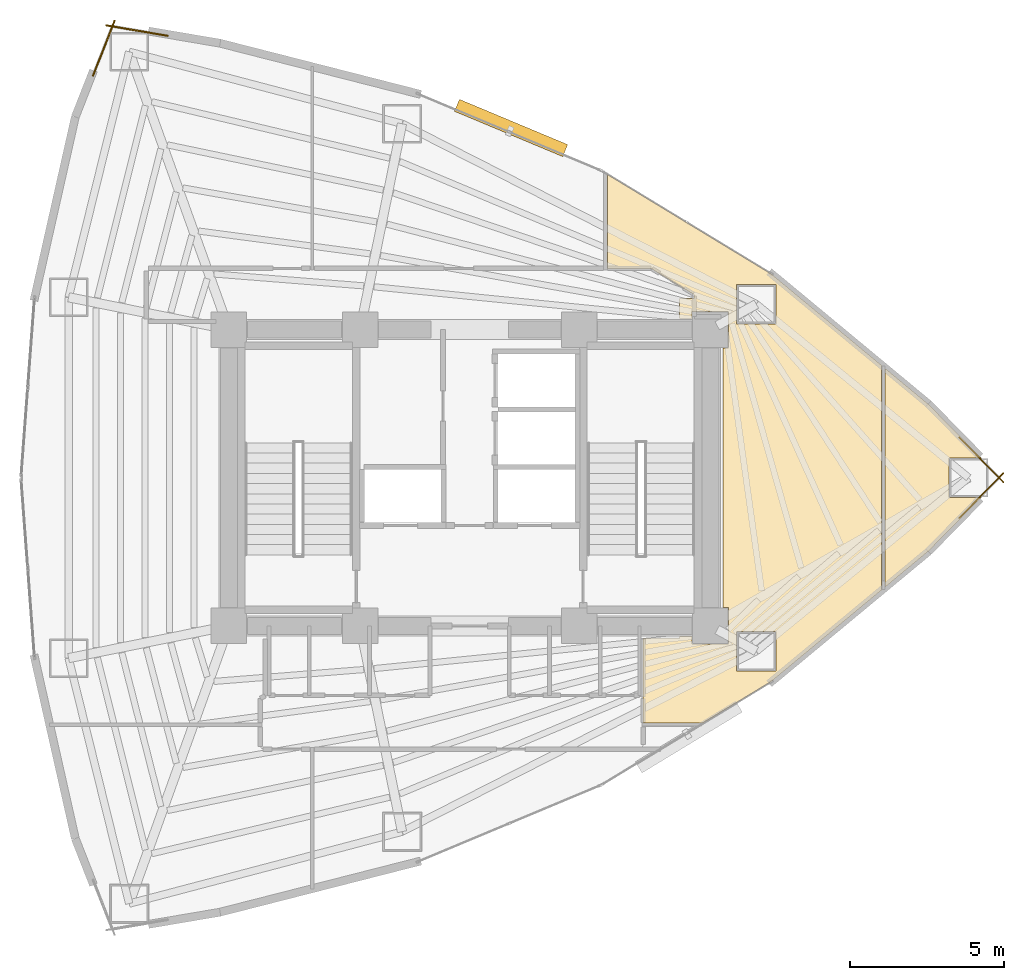
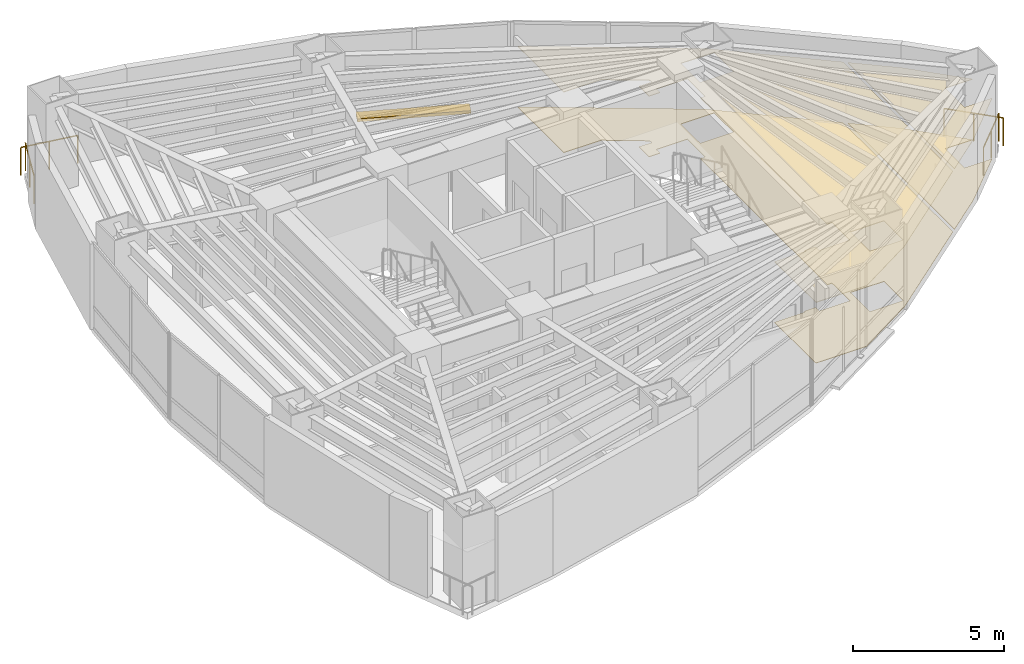
# One storey, part 18 of 18: 4 coverings, 4 railings, 1 shading device.
"""IFC4 building model written with IfcOpenShell, lengths in metres."""

import ifcopenshell
import ifcopenshell.guid

model = None  # the IFC model being written
_history = None  # IfcOwnerHistory: only IFC2X3 demands one
_inside = {}  # id of a spatial element -> (the spatial element, [elements in it])
_under = {}  # id of a project, library or spatial element -> (it, [spatial elements below it])
_declared = {}  # id of a project -> (the project, [libraries it declares])
_typed = {}  # id of a type object -> (the type object, [elements of that type])
_made_of = {}  # id of a material, layer set ... -> (it, [elements and type objects made of it])


def new_model(schema):
    """Start an empty IFC model of exactly this schema.

    Asked for "IFC4X3", IfcOpenShell would pick the latest addendum, in which some entities
    have other attributes; the version numbers below select the first issue.
    IFC2X3 requires an IfcOwnerHistory on every rooted entity: one is made here for all.
    """
    global model, _history
    if schema == "IFC4X3":
        model = ifcopenshell.file(schema_version=(4, 3, 0, 0))
    else:
        model = ifcopenshell.file(schema=schema)
    _inside.clear()
    _under.clear()
    _declared.clear()
    _typed.clear()
    _made_of.clear()
    _history = None
    if model.schema == "IFC2X3":
        org = make("IfcOrganization", Name="unknown")
        user = make(
            "IfcPersonAndOrganization",
            ThePerson=make("IfcPerson", FamilyName="unknown"),
            TheOrganization=org,
        )
        app = make(
            "IfcApplication",
            ApplicationDeveloper=org,
            Version="unknown",
            ApplicationFullName="unknown",
            ApplicationIdentifier="unknown",
        )
        _history = make(
            "IfcOwnerHistory",
            OwningUser=user,
            OwningApplication=app,
            ChangeAction="ADDED",
            CreationDate=0,
        )
    return model


def make(cls, **values):
    """One entity of the class cls with the attributes given. An attribute that is None is left unset."""
    return model.create_entity(
        cls, **{name: value for name, value in values.items() if value is not None}
    )


def rooted(cls, **values):
    """An entity with a GlobalId (a new one), such as an element, a storey or a relation."""
    return make(cls, GlobalId=ifcopenshell.guid.new(), OwnerHistory=_history, **values)


def si_unit(unit_type, name, prefix=None):
    """IfcSIUnit, for example si_unit("LENGTHUNIT", "METRE", prefix="MILLI")."""
    return make("IfcSIUnit", UnitType=unit_type, Prefix=prefix, Name=name)


def assignment(units):
    """IfcUnitAssignment: the units of a project."""
    return None if units is None else make("IfcUnitAssignment", Units=units)


def point(xyz):
    """IfcCartesianPoint."""
    return None if xyz is None else make("IfcCartesianPoint", Coordinates=xyz)


def direction(xyz):
    """IfcDirection."""
    return None if xyz is None else make("IfcDirection", DirectionRatios=xyz)


def frame(location, z_axis=None, x_axis=None):
    """IfcAxis2Placement3D, a coordinate frame: its origin and axes. An axis left out is left unset."""
    return make(
        "IfcAxis2Placement3D",
        Location=point(location),
        Axis=direction(z_axis),
        RefDirection=direction(x_axis),
    )


def frame_2d(location, x_axis=None):
    """IfcAxis2Placement2D, a coordinate frame in the plane: its origin and x axis."""
    return make(
        "IfcAxis2Placement2D", Location=point(location), RefDirection=direction(x_axis)
    )


def origin():
    """The frame at (0, 0, 0) with its axes left unset."""
    return frame((0.0, 0.0, 0.0))


def origin_2d():
    """The frame at (0, 0) in the plane with its x axis left unset."""
    return frame_2d((0.0, 0.0))


def place(relative_to, where):
    """IfcLocalPlacement: puts the frame where relative to a parent placement (None: the world)."""
    return make(
        "IfcLocalPlacement", PlacementRelTo=relative_to, RelativePlacement=where
    )


def context(
    kind, dimensions, precision=None, world=None, true_north=None, identifier=None
):
    """IfcGeometricRepresentationContext, for example the 3D "Model" context."""
    return make(
        "IfcGeometricRepresentationContext",
        ContextIdentifier=identifier,
        ContextType=kind,
        CoordinateSpaceDimension=dimensions,
        Precision=precision,
        WorldCoordinateSystem=world,
        TrueNorth=true_north,
    )


def subcontext(parent, identifier, kind, view, scale=None):
    """IfcGeometricRepresentationSubContext, for example "Body" below "Model"."""
    return make(
        "IfcGeometricRepresentationSubContext",
        ContextIdentifier=identifier,
        ContextType=kind,
        ParentContext=parent,
        TargetScale=scale,
        TargetView=view,
    )


def project(units=None, contexts=None):
    """IfcProject with its units and contexts."""
    return rooted(
        "IfcProject",
        Name="project",
        RepresentationContexts=contexts,
        UnitsInContext=assignment(units),
    )


def spatial(cls, under=None, at=None, **own):
    """A site, building, storey or space (cls), placed at a placement, below another one or the project."""
    s = rooted(cls, ObjectPlacement=at, **own)
    if under is not None:
        _under.setdefault(under.id(), (under, []))[1].append(s)
    return s


def polyline(points):
    """IfcPolyline through the points."""
    return make("IfcPolyline", Points=[point(p) for p in points])


def profile(cls, at=None, kind="AREA", **sizes):
    """A parametric profile (cls). Its sizes go by their IFC names, for example OverallWidth=200.0."""
    return make(cls, ProfileType=kind, Position=at, **sizes)


def rectangle(**sizes):
    """IfcRectangleProfileDef."""
    return profile("IfcRectangleProfileDef", **sizes)


def circle(**sizes):
    """IfcCircleProfileDef."""
    return profile("IfcCircleProfileDef", **sizes)


def outline(outer, holes=None, kind="AREA"):
    """IfcArbitraryClosedProfileDef: a profile drawn as a closed curve; with holes, ...WithVoids."""
    if holes is None:
        return make("IfcArbitraryClosedProfileDef", ProfileType=kind, OuterCurve=outer)
    return make(
        "IfcArbitraryProfileDefWithVoids",
        ProfileType=kind,
        OuterCurve=outer,
        InnerCurves=holes,
    )


def extrude(swept, where, along, depth):
    """IfcExtrudedAreaSolid: the profile swept, set in the frame where, extruded along a direction by depth."""
    return make(
        "IfcExtrudedAreaSolid",
        SweptArea=swept,
        Position=where,
        ExtrudedDirection=direction(along),
        Depth=depth,
    )


def shape(context_of_items, identifier, shape_type, items):
    """IfcShapeRepresentation: the items that make up one representation, for example the "Body"."""
    return make(
        "IfcShapeRepresentation",
        ContextOfItems=context_of_items,
        RepresentationIdentifier=identifier,
        RepresentationType=shape_type,
        Items=items,
    )


def material(Name=None, Category=None):
    """IfcMaterial."""
    return make("IfcMaterial", Name=Name, Category=Category)


def layer(
    of_material, thickness, ventilated=None, Name=None, Category=None, Priority=None
):
    """IfcMaterialLayer: one layer of a wall or slab, of a material (None: an air gap)."""
    return make(
        "IfcMaterialLayer",
        Material=of_material,
        LayerThickness=thickness,
        IsVentilated=ventilated,
        Name=Name,
        Category=Category,
        Priority=Priority,
    )


def layer_set(layers, Name=None):
    """IfcMaterialLayerSet."""
    return make("IfcMaterialLayerSet", MaterialLayers=layers, LayerSetName=Name)


def made_of(thing, what):
    """Note that an element or type object is made of a material, layer set ...; save() writes the relation."""
    if what is not None:
        _made_of.setdefault(what.id(), (what, []))[1].append(thing)
    return thing


def type_object(cls, material=None, **own):
    """A type object (cls), such as IfcWallType, which elements share."""
    return made_of(rooted(cls, **own), material)


def element(
    cls,
    number,
    at=None,
    inside=None,
    cuts=None,
    type_object=None,
    material=None,
    context=None,
    identifier="Body",
    shape_type=None,
    held_by="IfcProductDefinitionShape",
    body=None,
    shapes=None,
    **own,
):
    """One element of the class cls, such as IfcWall. Its Tag is "e" and its number.

    at: its placement. inside: the storey or other place that contains it. cuts: it is an
    opening in that element (IfcRelVoidsElement). A single representation is given by context,
    identifier, shape_type and body (its items); several are given by shapes. held_by: the class
    of the entity that holds the representations. save() writes the other relations.
    """
    e = rooted(cls, Tag="e%d" % number, ObjectPlacement=at, **own)
    if body is not None:
        shapes = [shape(context, identifier, shape_type, body)]
    if shapes is not None:
        e.Representation = make(held_by, Representations=shapes)
    if inside is not None:
        _inside.setdefault(inside.id(), (inside, []))[1].append(e)
    if cuts is not None:
        rooted(
            "IfcRelVoidsElement", RelatingBuildingElement=cuts, RelatedOpeningElement=e
        )
    if type_object is not None:
        _typed.setdefault(type_object.id(), (type_object, []))[1].append(e)
    return made_of(e, material)


def aggregate(whole, parts):
    """IfcRelAggregates: a whole, such as a stair, and the parts it consists of."""
    return rooted("IfcRelAggregates", RelatingObject=whole, RelatedObjects=parts)


def save(model, path):
    """Write the relations noted so far, then the file.

    IfcRelAggregates (storeys below a building ...), IfcRelContainedInSpatialStructure (elements
    in a storey), IfcRelDefinesByType, IfcRelAssociatesMaterial and IfcRelDeclares: one each for
    every whole, place, type object, material and project.
    """
    for whole, parts in _under.values():
        aggregate(whole, parts)
    for where, things in _inside.values():
        rooted(
            "IfcRelContainedInSpatialStructure",
            RelatedElements=things,
            RelatingStructure=where,
        )
    for kind, things in _typed.values():
        rooted("IfcRelDefinesByType", RelatedObjects=things, RelatingType=kind)
    for what, things in _made_of.values():
        rooted("IfcRelAssociatesMaterial", RelatedObjects=things, RelatingMaterial=what)
    for by, libraries in _declared.values():
        rooted("IfcRelDeclares", RelatingContext=by, RelatedDefinitions=libraries)
    model.write(path)


model = new_model("IFC4")

# Units and contexts
model_context = context("Model", 3, precision=1e-05, world=origin(), true_north=direction((0.0, 1.0)))
body_context = subcontext(model_context, "Body", "Model", "MODEL_VIEW")
ifc_project = project(units=[si_unit("LENGTHUNIT", "METRE"), si_unit("AREAUNIT", "SQUARE_METRE"), si_unit("VOLUMEUNIT", "CUBIC_METRE"), si_unit("PLANEANGLEUNIT", "RADIAN"), si_unit("MASSUNIT", "GRAM", prefix="KILO")], contexts=[model_context])

# Site, building, storey
site_placement = place(None, origin())
site = spatial("IfcSite", under=ifc_project, at=site_placement, CompositionType="ELEMENT")
building_placement = place(site_placement, origin())
building = spatial("IfcBuilding", under=site, at=building_placement, Name="Menara Vayukalpa", CompositionType="ELEMENT")
storey_placement = place(building_placement, frame((0.0, 0.0, 130.02001953125)))
storey = spatial("IfcBuildingStorey", under=building, at=storey_placement, Name="L32", CompositionType="ELEMENT", Elevation=130.02001953125)

# Coverings
ifc_material_1 = material(Name="Mineral Fibre Acoustic Ceiling Tile", Category="masonry")
ifc_layer_1 = layer(ifc_material_1, 0.02490234375)
ifc_layer_set_1 = layer_set([ifc_layer_1], Name="Mineral Fibre Acoustic Ceiling Tile")
covering_type_1 = type_object("IfcCoveringType", Name="COV-CLG1", PredefinedType="CEILING", material=ifc_layer_set_1)
covering_1_placement = place(storey_placement, frame((0.0, 0.0, 2.449951171875)))
element("IfcCovering", 1, at=covering_1_placement, inside=storey, type_object=covering_type_1, Name="L32 Technical Reference Library Acoustic Ceiling", PredefinedType="CEILING", context=body_context, shape_type="SweptSolid", body=[
    extrude(outline(polyline([(42.169677734375, 22.639892578125), (41.121826171875, 22.639892578125), (41.121826171875, 21.360107421875), (42.169677734375, 21.360107421875), (40.461181640625, 19.6201171875), (40.46044921875, 19.619384765625), (39.076416015625, 18.471435546875), (39.07568359375, 18.470947265625), (39.07470703125, 18.470458984375), (39.073974609375, 18.469970703125), (39.072998046875, 18.469482421875), (39.072021484375, 18.469482421875), (39.071044921875, 18.46923828125), (39.070068359375, 18.46923828125), (39.069091796875, 18.46923828125), (39.068115234375, 18.469482421875), (39.067138671875, 18.469482421875), (39.066162109375, 18.469970703125), (39.065185546875, 18.470458984375), (39.064453125, 18.470947265625), (39.063720703125, 18.471435546875), (39.06298828125, 18.47216796875), (39.062255859375, 18.472900390625), (39.061767578125, 18.4736328125), (39.061279296875, 18.474609375), (39.060791015625, 18.475341796875), (39.060302734375, 18.476318359375), (39.060302734375, 18.477294921875), (39.06005859375, 18.478271484375), (39.06005859375, 18.479248046875), (39.06005859375, 25.520751953125), (39.06005859375, 25.521728515625), (39.060302734375, 25.522705078125), (39.060302734375, 25.523681640625), (39.060791015625, 25.524658203125), (39.061279296875, 25.525390625), (39.061767578125, 25.5263671875), (39.062255859375, 25.527099609375), (39.06298828125, 25.52783203125), (39.063720703125, 25.528564453125), (39.064453125, 25.529052734375), (39.065185546875, 25.529541015625), (39.066162109375, 25.530029296875), (39.067138671875, 25.530517578125), (39.068115234375, 25.530517578125), (39.069091796875, 25.53076171875), (39.070068359375, 25.53076171875), (39.071044921875, 25.53076171875), (39.072021484375, 25.530517578125), (39.072998046875, 25.530517578125), (39.073974609375, 25.530029296875), (39.07470703125, 25.529541015625), (39.07568359375, 25.529052734375), (39.076416015625, 25.528564453125), (40.46044921875, 24.380615234375), (40.461181640625, 24.3798828125), (42.169677734375, 22.639892578125)])), origin(), (0.0, 0.0, 1.0), 0.025146484375),
])
covering_2_placement = place(storey_placement, frame((0.0, 0.0, 2.449951171875)))
element("IfcCovering", 2, at=covering_2_placement, inside=storey, type_object=covering_type_1, Name="L32 Visitor Reception Lounge Acoustic Ceiling", PredefinedType="CEILING", context=body_context, shape_type="SweptSolid", body=[
    extrude(outline(polyline([(32.81005859375, 16.85009765625), (32.81005859375, 16.610107421875), (33.989990234375, 16.610107421875), (33.989990234375, 17.7900390625), (33.81005859375, 17.7900390625), (33.81005859375, 26.2099609375), (33.989990234375, 26.2099609375), (33.989990234375, 27.389892578125), (32.81005859375, 27.389892578125), (32.81005859375, 27.14990234375), (32.389892578125, 27.14990234375), (32.389892578125, 27.81005859375), (32.8701171875, 27.81005859375), (32.8701171875, 27.89111328125), (32.86962890625, 27.8984375), (32.868408203125, 27.905517578125), (32.86669921875, 27.912353515625), (32.8642578125, 27.919189453125), (32.861083984375, 27.925537109375), (32.857177734375, 27.931640625), (32.852783203125, 27.937255859375), (32.847900390625, 27.9423828125), (32.84228515625, 27.947021484375), (32.836181640625, 27.951171875), (31.505126953125, 28.759765625), (31.49951171875, 28.762939453125), (31.49365234375, 28.765380859375), (31.487548828125, 28.767333984375), (31.481201171875, 28.768798828125), (31.47509765625, 28.769775390625), (31.468505859375, 28.77001953125), (30.070068359375, 28.77001953125), (30.069091796875, 28.77001953125), (30.068115234375, 28.770263671875), (30.067138671875, 28.7705078125), (30.066162109375, 28.770751953125), (30.065185546875, 28.771240234375), (30.064453125, 28.771728515625), (30.063720703125, 28.772216796875), (30.06298828125, 28.77294921875), (30.062255859375, 28.773681640625), (30.061767578125, 28.7744140625), (30.061279296875, 28.775390625), (30.060791015625, 28.776123046875), (30.060302734375, 28.777099609375), (30.060302734375, 28.778076171875), (30.06005859375, 28.779052734375), (30.06005859375, 28.780029296875), (30.06005859375, 31.807861328125), (30.06005859375, 31.808837890625), (30.060302734375, 31.809814453125), (30.060302734375, 31.810546875), (30.060791015625, 31.8115234375), (30.06103515625, 31.8125), (30.0615234375, 31.813232421875), (30.062255859375, 31.81396484375), (30.062744140625, 31.814697265625), (30.0634765625, 31.8154296875), (30.064208984375, 31.81591796875), (30.065185546875, 31.81640625), (30.06591796875, 31.81689453125), (30.06689453125, 31.8173828125), (30.06787109375, 31.817626953125), (30.068603515625, 31.817626953125), (30.069580078125, 31.81787109375), (30.070556640625, 31.81787109375), (30.071533203125, 31.817626953125), (30.072509765625, 31.8173828125), (30.073486328125, 31.817138671875), (30.07421875, 31.81689453125), (30.0751953125, 31.81640625), (35.379638671875, 28.593994140625), (35.380859375, 28.59326171875), (38.938720703125, 25.642822265625), (38.939208984375, 25.64208984375), (38.93994140625, 25.641357421875), (38.940673828125, 25.640380859375), (38.941162109375, 25.6396484375), (38.94140625, 25.638671875), (38.94189453125, 25.6376953125), (38.942138671875, 25.63671875), (38.942138671875, 25.6357421875), (38.942138671875, 25.634765625), (38.942138671875, 25.6337890625), (38.94189453125, 25.6328125), (38.941162109375, 25.629638671875), (38.940185546875, 25.623779296875), (38.93994140625, 25.61767578125), (38.93994140625, 18.38232421875), (38.940185546875, 18.376220703125), (38.941162109375, 18.370361328125), (38.94189453125, 18.3671875), (38.942138671875, 18.3662109375), (38.942138671875, 18.365234375), (38.942138671875, 18.3642578125), (38.942138671875, 18.36328125), (38.94189453125, 18.3623046875), (38.94140625, 18.361328125), (38.941162109375, 18.3603515625), (38.940673828125, 18.359619140625), (38.93994140625, 18.358642578125), (38.939208984375, 18.35791015625), (38.938720703125, 18.357177734375), (35.380859375, 15.40673828125), (35.379638671875, 15.406005859375), (33.1474609375, 14.050048828125), (33.146484375, 14.049560546875), (33.1455078125, 14.049072265625), (33.144775390625, 14.048828125), (33.143798828125, 14.048583984375), (33.142822265625, 14.048583984375), (33.141845703125, 14.048583984375), (33.140869140625, 14.048583984375), (33.139892578125, 14.048828125), (33.138916015625, 14.049072265625), (33.137939453125, 14.04931640625), (33.13720703125, 14.0498046875), (33.132080078125, 14.052978515625), (33.126708984375, 14.055419921875), (33.12109375, 14.057373046875), (33.115478515625, 14.058837890625), (33.109619140625, 14.059814453125), (33.103515625, 14.06005859375), (31.22998046875, 14.06005859375), (31.22900390625, 14.06005859375), (31.22802734375, 14.060302734375), (31.22705078125, 14.060302734375), (31.226318359375, 14.060791015625), (31.225341796875, 14.061279296875), (31.224365234375, 14.061767578125), (31.2236328125, 14.062255859375), (31.222900390625, 14.06298828125), (31.222412109375, 14.063720703125), (31.2216796875, 14.064453125), (31.22119140625, 14.065185546875), (31.220703125, 14.066162109375), (31.220458984375, 14.067138671875), (31.22021484375, 14.068115234375), (31.219970703125, 14.069091796875), (31.219970703125, 14.070068359375), (31.219970703125, 14.849609375), (31.219482421875, 14.856689453125), (31.21875, 14.86376953125), (31.217041015625, 14.870361328125), (31.214599609375, 14.876708984375), (31.2119140625, 14.8828125), (31.211669921875, 14.883056640625), (31.211181640625, 14.8837890625), (31.210693359375, 14.884765625), (31.21044921875, 14.8857421875), (31.210205078125, 14.88671875), (31.2099609375, 14.8876953125), (31.2099609375, 14.888671875), (31.2099609375, 16.780029296875), (31.2099609375, 16.781005859375), (31.210205078125, 16.781982421875), (31.21044921875, 16.782958984375), (31.210693359375, 16.78369140625), (31.211181640625, 16.78466796875), (31.211669921875, 16.78564453125), (31.21240234375, 16.786376953125), (31.212890625, 16.787109375), (31.213623046875, 16.78759765625), (31.21435546875, 16.788330078125), (31.21533203125, 16.788818359375), (31.21630859375, 16.789306640625), (31.217041015625, 16.78955078125), (31.218017578125, 16.789794921875), (31.218994140625, 16.7900390625), (31.219970703125, 16.7900390625), (32.389892578125, 16.7900390625), (32.389892578125, 16.85009765625), (32.81005859375, 16.85009765625)]), holes=[polyline([(35.52685546875, 17.018310546875), (34.246826171875, 17.018310546875), (34.246826171875, 15.73828125), (35.52685546875, 15.73828125), (35.52685546875, 17.018310546875)]), polyline([(35.52685546875, 26.981689453125), (35.52685546875, 28.26171875), (34.246826171875, 28.26171875), (34.246826171875, 26.981689453125), (35.52685546875, 26.981689453125)])]), origin(), (0.0, 0.0, 1.0), 0.025146484375),
])
ifc_material_2 = material(Name="Porcelain Stoneware Floor Tile", Category="masonry")
ifc_layer_2 = layer(ifc_material_2, 0.02001953125)
ifc_layer_set_2 = layer_set([ifc_layer_2], Name="Porcelain Stoneware Floor Tile")
covering_type_2 = type_object("IfcCoveringType", Name="COV-FLR1", PredefinedType="FLOORING", material=ifc_layer_set_2)
covering_3_placement = place(storey_placement, origin())
element("IfcCovering", 3, at=covering_3_placement, inside=storey, type_object=covering_type_2, Name="L32 Technical Reference Library Porcelain Flooring", PredefinedType="FLOORING", context=body_context, shape_type="SweptSolid", body=[
    extrude(outline(polyline([(42.169677734375, 22.639892578125), (41.121826171875, 22.639892578125), (41.121826171875, 21.360107421875), (42.169677734375, 21.360107421875), (40.461181640625, 19.6201171875), (40.46044921875, 19.619384765625), (39.076416015625, 18.471435546875), (39.07568359375, 18.470947265625), (39.07470703125, 18.470458984375), (39.073974609375, 18.469970703125), (39.072998046875, 18.469482421875), (39.072021484375, 18.469482421875), (39.071044921875, 18.46923828125), (39.070068359375, 18.46923828125), (39.069091796875, 18.46923828125), (39.068115234375, 18.469482421875), (39.067138671875, 18.469482421875), (39.066162109375, 18.469970703125), (39.065185546875, 18.470458984375), (39.064453125, 18.470947265625), (39.063720703125, 18.471435546875), (39.06298828125, 18.47216796875), (39.062255859375, 18.472900390625), (39.061767578125, 18.4736328125), (39.061279296875, 18.474609375), (39.060791015625, 18.475341796875), (39.060302734375, 18.476318359375), (39.060302734375, 18.477294921875), (39.06005859375, 18.478271484375), (39.06005859375, 18.479248046875), (39.06005859375, 25.520751953125), (39.06005859375, 25.521728515625), (39.060302734375, 25.522705078125), (39.060302734375, 25.523681640625), (39.060791015625, 25.524658203125), (39.061279296875, 25.525390625), (39.061767578125, 25.5263671875), (39.062255859375, 25.527099609375), (39.06298828125, 25.52783203125), (39.063720703125, 25.528564453125), (39.064453125, 25.529052734375), (39.065185546875, 25.529541015625), (39.066162109375, 25.530029296875), (39.067138671875, 25.530517578125), (39.068115234375, 25.530517578125), (39.069091796875, 25.53076171875), (39.070068359375, 25.53076171875), (39.071044921875, 25.53076171875), (39.072021484375, 25.530517578125), (39.072998046875, 25.530517578125), (39.073974609375, 25.530029296875), (39.07470703125, 25.529541015625), (39.07568359375, 25.529052734375), (39.076416015625, 25.528564453125), (40.46044921875, 24.380615234375), (40.461181640625, 24.3798828125), (42.169677734375, 22.639892578125)])), origin(), (0.0, 0.0, 1.0), 0.02001953125),
])
covering_4_placement = place(storey_placement, origin())
element("IfcCovering", 4, at=covering_4_placement, inside=storey, type_object=covering_type_2, Name="L32 Visitor Reception Lounge Porcelain Flooring", PredefinedType="FLOORING", context=body_context, shape_type="SweptSolid", body=[
    extrude(outline(polyline([(32.81005859375, 16.85009765625), (32.81005859375, 16.610107421875), (33.989990234375, 16.610107421875), (33.989990234375, 17.7900390625), (33.81005859375, 17.7900390625), (33.81005859375, 26.2099609375), (33.989990234375, 26.2099609375), (33.989990234375, 27.389892578125), (32.81005859375, 27.389892578125), (32.81005859375, 27.14990234375), (32.389892578125, 27.14990234375), (32.389892578125, 27.81005859375), (32.8701171875, 27.81005859375), (32.8701171875, 27.89111328125), (32.86962890625, 27.8984375), (32.868408203125, 27.905517578125), (32.86669921875, 27.912353515625), (32.8642578125, 27.919189453125), (32.861083984375, 27.925537109375), (32.857177734375, 27.931640625), (32.852783203125, 27.937255859375), (32.847900390625, 27.9423828125), (32.84228515625, 27.947021484375), (32.836181640625, 27.951171875), (31.505126953125, 28.759765625), (31.49951171875, 28.762939453125), (31.49365234375, 28.765380859375), (31.487548828125, 28.767333984375), (31.481201171875, 28.768798828125), (31.47509765625, 28.769775390625), (31.468505859375, 28.77001953125), (30.070068359375, 28.77001953125), (30.069091796875, 28.77001953125), (30.068115234375, 28.770263671875), (30.067138671875, 28.7705078125), (30.066162109375, 28.770751953125), (30.065185546875, 28.771240234375), (30.064453125, 28.771728515625), (30.063720703125, 28.772216796875), (30.06298828125, 28.77294921875), (30.062255859375, 28.773681640625), (30.061767578125, 28.7744140625), (30.061279296875, 28.775390625), (30.060791015625, 28.776123046875), (30.060302734375, 28.777099609375), (30.060302734375, 28.778076171875), (30.06005859375, 28.779052734375), (30.06005859375, 28.780029296875), (30.06005859375, 31.807861328125), (30.06005859375, 31.808837890625), (30.060302734375, 31.809814453125), (30.060302734375, 31.810546875), (30.060791015625, 31.8115234375), (30.06103515625, 31.8125), (30.0615234375, 31.813232421875), (30.062255859375, 31.81396484375), (30.062744140625, 31.814697265625), (30.0634765625, 31.8154296875), (30.064208984375, 31.81591796875), (30.065185546875, 31.81640625), (30.06591796875, 31.81689453125), (30.06689453125, 31.8173828125), (30.06787109375, 31.817626953125), (30.068603515625, 31.817626953125), (30.069580078125, 31.81787109375), (30.070556640625, 31.81787109375), (30.071533203125, 31.817626953125), (30.072509765625, 31.8173828125), (30.073486328125, 31.817138671875), (30.07421875, 31.81689453125), (30.0751953125, 31.81640625), (35.379638671875, 28.593994140625), (35.380859375, 28.59326171875), (38.938720703125, 25.642822265625), (38.939208984375, 25.64208984375), (38.93994140625, 25.641357421875), (38.940673828125, 25.640380859375), (38.941162109375, 25.6396484375), (38.94140625, 25.638671875), (38.94189453125, 25.6376953125), (38.942138671875, 25.63671875), (38.942138671875, 25.6357421875), (38.942138671875, 25.634765625), (38.942138671875, 25.6337890625), (38.94189453125, 25.6328125), (38.941162109375, 25.629638671875), (38.940185546875, 25.623779296875), (38.93994140625, 25.61767578125), (38.93994140625, 18.38232421875), (38.940185546875, 18.376220703125), (38.941162109375, 18.370361328125), (38.94189453125, 18.3671875), (38.942138671875, 18.3662109375), (38.942138671875, 18.365234375), (38.942138671875, 18.3642578125), (38.942138671875, 18.36328125), (38.94189453125, 18.3623046875), (38.94140625, 18.361328125), (38.941162109375, 18.3603515625), (38.940673828125, 18.359619140625), (38.93994140625, 18.358642578125), (38.939208984375, 18.35791015625), (38.938720703125, 18.357177734375), (35.380859375, 15.40673828125), (35.379638671875, 15.406005859375), (33.1474609375, 14.050048828125), (33.146484375, 14.049560546875), (33.1455078125, 14.049072265625), (33.144775390625, 14.048828125), (33.143798828125, 14.048583984375), (33.142822265625, 14.048583984375), (33.141845703125, 14.048583984375), (33.140869140625, 14.048583984375), (33.139892578125, 14.048828125), (33.138916015625, 14.049072265625), (33.137939453125, 14.04931640625), (33.13720703125, 14.0498046875), (33.132080078125, 14.052978515625), (33.126708984375, 14.055419921875), (33.12109375, 14.057373046875), (33.115478515625, 14.058837890625), (33.109619140625, 14.059814453125), (33.103515625, 14.06005859375), (31.22998046875, 14.06005859375), (31.22900390625, 14.06005859375), (31.22802734375, 14.060302734375), (31.22705078125, 14.060302734375), (31.226318359375, 14.060791015625), (31.225341796875, 14.061279296875), (31.224365234375, 14.061767578125), (31.2236328125, 14.062255859375), (31.222900390625, 14.06298828125), (31.222412109375, 14.063720703125), (31.2216796875, 14.064453125), (31.22119140625, 14.065185546875), (31.220703125, 14.066162109375), (31.220458984375, 14.067138671875), (31.22021484375, 14.068115234375), (31.219970703125, 14.069091796875), (31.219970703125, 14.070068359375), (31.219970703125, 14.849609375), (31.219482421875, 14.856689453125), (31.21875, 14.86376953125), (31.217041015625, 14.870361328125), (31.214599609375, 14.876708984375), (31.2119140625, 14.8828125), (31.211669921875, 14.883056640625), (31.211181640625, 14.8837890625), (31.210693359375, 14.884765625), (31.21044921875, 14.8857421875), (31.210205078125, 14.88671875), (31.2099609375, 14.8876953125), (31.2099609375, 14.888671875), (31.2099609375, 16.780029296875), (31.2099609375, 16.781005859375), (31.210205078125, 16.781982421875), (31.21044921875, 16.782958984375), (31.210693359375, 16.78369140625), (31.211181640625, 16.78466796875), (31.211669921875, 16.78564453125), (31.21240234375, 16.786376953125), (31.212890625, 16.787109375), (31.213623046875, 16.78759765625), (31.21435546875, 16.788330078125), (31.21533203125, 16.788818359375), (31.21630859375, 16.789306640625), (31.217041015625, 16.78955078125), (31.218017578125, 16.789794921875), (31.218994140625, 16.7900390625), (31.219970703125, 16.7900390625), (32.389892578125, 16.7900390625), (32.389892578125, 16.85009765625), (32.81005859375, 16.85009765625)]), holes=[polyline([(35.52685546875, 17.018310546875), (34.246826171875, 17.018310546875), (34.246826171875, 15.73828125), (35.52685546875, 15.73828125), (35.52685546875, 17.018310546875)]), polyline([(35.52685546875, 26.981689453125), (35.52685546875, 28.26171875), (34.246826171875, 28.26171875), (34.246826171875, 26.981689453125), (35.52685546875, 26.981689453125)])]), origin(), (0.0, 0.0, 1.0), 0.02001953125),
])

# Railings
ifc_material_3 = material(Name="Laminated Glass and Stainless Steel 316 Guardrail", Category="steel")
railing_type = type_object("IfcRailingType", Name="RLG-EXT115", PredefinedType="GUARDRAIL", material=ifc_material_3)
railing_1_placement = place(storey_placement, frame((41.458740234375, 20.693115234375, 0.0)))
element("IfcRailing", 5, at=railing_1_placement, inside=storey, type_object=railing_type, Name="L32 Column Corner Spandrel Guardrail 01-1", PredefinedType="GUARDRAIL", context=body_context, shape_type="SweptSolid", body=[
    extrude(circle(Radius=0.02392578125, at=origin_2d()), frame((0.0, 0.0, 1.1259765625), z_axis=(0.700555740742, 0.713597683652, 0.0), x_axis=(-0.713597683652, 0.700555740742, 0.0)), (0.0, 0.0, 1.0), 2.04052734375),
    extrude(circle(Radius=0.02099609375, at=origin_2d()), origin(), (0.0, 0.0, 1.0), 1.101806640625),
    extrude(circle(Radius=0.02099609375, at=origin_2d()), frame((0.71484375, 0.72802734375, 0.0)), (0.0, 0.0, 1.0), 1.101806640625),
    extrude(circle(Radius=0.02099609375, at=origin_2d()), frame((1.429443359375, 1.4560546875, 0.0)), (0.0, 0.0, 1.0), 1.101806640625),
])
railing_2_placement = place(storey_placement, frame((42.88818359375, 21.850830078125, 0.0)))
element("IfcRailing", 6, at=railing_2_placement, inside=storey, type_object=railing_type, Name="L32 Column Corner Spandrel Guardrail 02-1", PredefinedType="GUARDRAIL", context=body_context, shape_type="SweptSolid", body=[
    extrude(circle(Radius=0.02392578125, at=origin_2d()), frame((0.0, 0.0, 1.1259765625), z_axis=(-0.700555740742, 0.713597683652, 0.0), x_axis=(-0.713597683652, -0.700555740742, 0.0)), (0.0, 0.0, 1.0), 2.04052734375),
    extrude(circle(Radius=0.02099609375, at=origin_2d()), origin(), (0.0, 0.0, 1.0), 1.101806640625),
    extrude(circle(Radius=0.02099609375, at=origin_2d()), frame((-0.71484375, 0.72802734375, 0.0)), (0.0, 0.0, 1.0), 1.101806640625),
    extrude(circle(Radius=0.02099609375, at=origin_2d()), frame((-1.429443359375, 1.4560546875, 0.0)), (0.0, 0.0, 1.0), 1.101806640625),
])
railing_3_placement = place(storey_placement, frame((15.818359375, 36.315673828125, 0.0)))
element("IfcRailing", 7, at=railing_3_placement, inside=storey, type_object=railing_type, Name="L32 Column Corner Spandrel Guardrail 07-1", PredefinedType="GUARDRAIL", context=body_context, shape_type="SweptSolid", body=[
    extrude(circle(Radius=0.02392578125, at=origin_2d()), frame((0.0, 0.0, 1.1259765625), z_axis=(-0.985895977605, 0.16735925831, 0.0), x_axis=(-0.16735925831, -0.985895977605, 0.0)), (0.0, 0.0, 1.0), 2.01904296875),
    extrude(circle(Radius=0.02099609375, at=origin_2d()), origin(), (0.0, 0.0, 1.0), 1.101806640625),
    extrude(circle(Radius=0.02099609375, at=origin_2d()), frame((-0.9951171875, 0.1689453125, 0.0)), (0.0, 0.0, 1.0), 1.101806640625),
    extrude(circle(Radius=0.02099609375, at=origin_2d()), frame((-1.990478515625, 0.337890625, 0.0)), (0.0, 0.0, 1.0), 1.101806640625),
])
railing_4_placement = place(storey_placement, frame((14.09912109375, 36.806640625, 0.0)))
element("IfcRailing", 8, at=railing_4_placement, inside=storey, type_object=railing_type, Name="L32 Column Corner Spandrel Guardrail 08-1", PredefinedType="GUARDRAIL", context=body_context, shape_type="SweptSolid", body=[
    extrude(circle(Radius=0.02392578125, at=origin_2d()), frame((0.0, 0.0, 1.1259765625), z_axis=(-0.365573386764, -0.930782519652, 0.0), x_axis=(0.930782519652, -0.365573386764, 0.0)), (0.0, 0.0, 1.0), 1.91259765625),
    extrude(circle(Radius=0.02099609375, at=origin_2d()), origin(), (0.0, 0.0, 1.0), 1.101806640625),
    extrude(circle(Radius=0.02099609375, at=origin_2d()), frame((-0.349609375, -0.89013671875, 0.0)), (0.0, 0.0, 1.0), 1.101806640625),
    extrude(circle(Radius=0.02099609375, at=origin_2d()), frame((-0.69921875, -1.7802734375, 0.0)), (0.0, 0.0, 1.0), 1.101806640625),
])

# Shading device
ifc_material_4 = material(Name="Glazed Terracotta Ceramic Baguette Extrusion", Category="masonry")
ifc_layer_3 = layer(ifc_material_4, 0.1201171875)
ifc_layer_set_3 = layer_set([ifc_layer_3], Name="Glazed Terracotta Ceramic Baguette Extrusion")
shading_device_type = type_object("IfcShadingDeviceType", Name="SHD-SS1", PredefinedType="USERDEFINED", material=ifc_layer_set_3)
shading_device_placement = place(storey_placement, frame((26.940673828125, 33.33056640625, -0.10009765625), z_axis=(0.0, 0.0, 1.0), x_axis=(-0.922544824647, 0.385889940938, 0.0)))
element("IfcShadingDevice", 9, at=shading_device_placement, inside=storey, type_object=shading_device_type, Name="L32 Horizontal Terracotta Sunshade Band 05", ObjectType="SUNSHADE", PredefinedType="USERDEFINED", context=body_context, shape_type="SweptSolid", body=[
    extrude(rectangle(XDim=3.800048828125, YDim=0.419921875, at=origin_2d()), origin(), (0.0, 0.0, 1.0), 0.1201171875),
])

save(model, "model.ifc")
